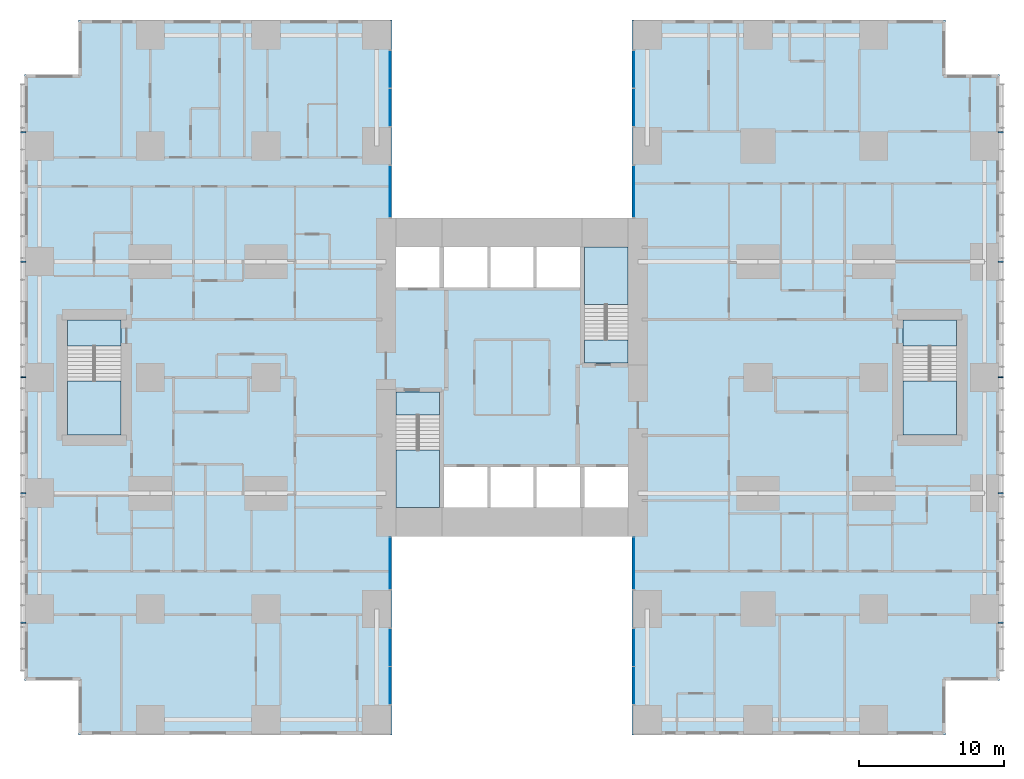
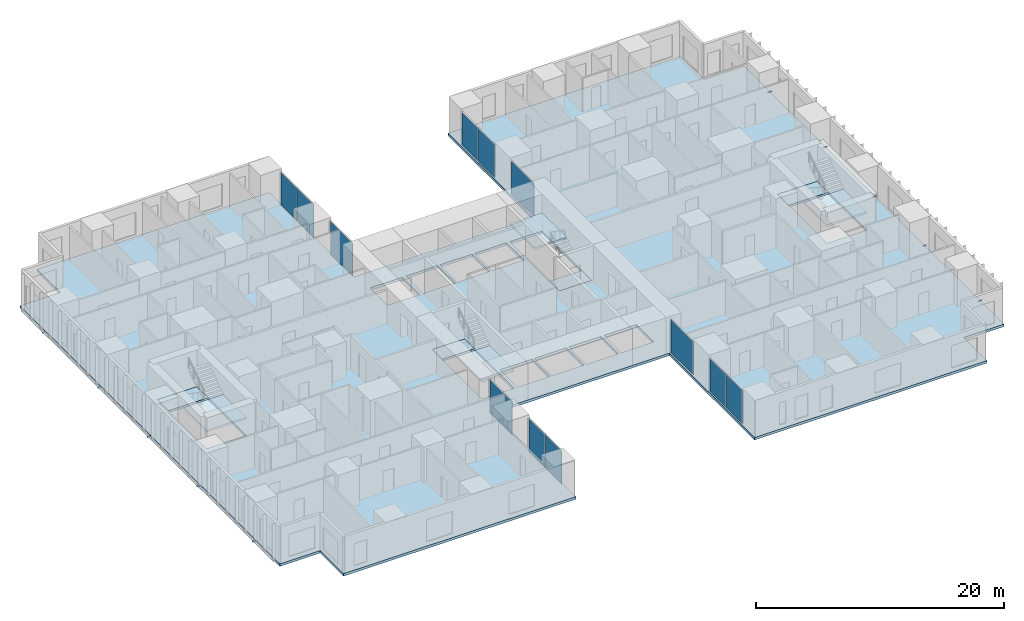
# One storey, part 7 of 20: 12 plates, 10 members, 9 slabs, 12 elements without a shape of their own.
"""IFC4 building model written with IfcOpenShell, lengths in metres."""

from ifc_helpers import new_model, si_unit, direction, frame, origin, origin_2d, place, context, subcontext, project, spatial, polyline, rectangle, hollow_rectangle, outline, extrude, material, layer, layer_set, material_profile, profile_set, type_object, element, aggregate, save


model = new_model("IFC4")

# Units and contexts
model_context = context("Model", 3, precision=1e-05, world=origin(), true_north=direction((0.0, 1.0)))
body_context = subcontext(model_context, "Body", "Model", "MODEL_VIEW")
ifc_project = project(units=[si_unit("LENGTHUNIT", "METRE"), si_unit("AREAUNIT", "SQUARE_METRE"), si_unit("VOLUMEUNIT", "CUBIC_METRE"), si_unit("PLANEANGLEUNIT", "RADIAN"), si_unit("MASSUNIT", "GRAM", prefix="KILO")], contexts=[model_context])

# Site, building, storey
site_placement = place(None, origin())
site = spatial("IfcSite", under=ifc_project, at=site_placement, CompositionType="ELEMENT")
building_placement = place(site_placement, origin())
building = spatial("IfcBuilding", under=site, at=building_placement, Name="Cleftline Residences", CompositionType="ELEMENT")
storey_placement = place(building_placement, frame((0.0, 0.0, 114.199951171875)))
storey = spatial("IfcBuildingStorey", under=building, at=storey_placement, Name="L29", CompositionType="ELEMENT", Elevation=114.199951171875)

# Members
ifc_material_1 = material(Name="Steel S355, hot-dip galvanised", Category="steel")
ifc_material_profile = material_profile(ifc_material_1, hollow_rectangle(XDim=0.10009765625, YDim=0.10009765625, WallThickness=0.008056640625, InnerFilletRadius=0.008056640625, OuterFilletRadius=0.011962890625, at=origin_2d()))
ifc_profile_set = profile_set([ifc_material_profile], Name="Steel S355, hot-dip galvanised")
member_type = type_object("IfcMemberType", Name="BAGUETTE BRACKET SHS 100X100X8", PredefinedType="USERDEFINED", material=ifc_profile_set)
for number, where, z_axis, x_axis, name in (
    (1, (66.60009765625, 7.050048828125, -0.14990234375), (1.0, 0.0, 0.0), (0.0, 1.0, 0.0), "Baguette bracket"),
    (2, (66.60009765625, 16.0, -0.14990234375), (1.0, 0.0, 0.0), (0.0, 1.0, 0.0), "Baguette bracket"),
    (3, (66.60009765625, 24.0, -0.14990234375), (1.0, 0.0, 0.0), (0.0, 1.0, 0.0), "Baguette bracket"),
    (4, (66.60009765625, 32.0, -0.14990234375), (1.0, 0.0, 0.0), (0.0, 1.0, 0.0), "Baguette bracket"),
    (5, (66.60009765625, 40.949951171875, -0.14990234375), (1.0, 0.0, 0.0), (0.0, 1.0, 0.0), "Baguette bracket"),
    (6, (-0.60009765625, 40.949951171875, -0.14990234375), (-1.0, 0.0, 0.0), (0.0, -1.0, 0.0), "Baguette bracket"),
    (7, (-0.60009765625, 32.0, -0.14990234375), (-1.0, 0.0, 0.0), (0.0, -1.0, 0.0), "Baguette bracket"),
    (8, (-0.60009765625, 24.0, -0.14990234375), (-1.0, 0.0, 0.0), (0.0, -1.0, 0.0), "Baguette bracket"),
    (9, (-0.60009765625, 16.0, -0.14990234375), (-1.0, 0.0, 0.0), (0.0, -1.0, 0.0), "Baguette bracket"),
    (10, (-0.60009765625, 7.050048828125, -0.14990234375), (-1.0, 0.0, 0.0), (0.0, -1.0, 0.0), "Baguette bracket"),
):
    element("IfcMember", number, at=place(storey_placement, frame(where, z_axis=z_axis, x_axis=x_axis)), inside=storey, type_object=member_type, Name=name, ObjectType="BAGUETTE BRACKET", PredefinedType="USERDEFINED", context=body_context, shape_type="SweptSolid", body=[
        extrude(hollow_rectangle(XDim=0.10009765625, YDim=0.10009765625, WallThickness=0.008056640625, InnerFilletRadius=0.008056640625, OuterFilletRadius=0.011962890625, at=origin_2d()), origin(), (0.0, 0.0, 1.0), 0.349853515625),
    ])

# Curtain wall, plates
ifc_material_2 = material(Name="Aluminium framed curtain wall", Category="aluminium")
ifc_layer_1 = layer(ifc_material_2, 0.199951171875)
ifc_layer_set_1 = layer_set([ifc_layer_1], Name="CW1 CLEFT GLAZING")
curtain_wall_type = type_object("IfcCurtainWallType", Name="CW1 CLEFT GLAZING", PredefinedType="NOTDEFINED", material=ifc_layer_set_1)
curtain_wall_1_placement = place(storey_placement, origin())
curtain_wall_1 = element("IfcCurtainWall", 11, at=curtain_wall_1_placement, inside=storey, type_object=curtain_wall_type, Name="Curtain wall CW1", PredefinedType="NOTDEFINED")
ifc_material_3 = material(Name="Laminated clear glass", Category="glass")
ifc_layer_2 = layer(ifc_material_3, 0.028076171875)
ifc_layer_set_2 = layer_set([ifc_layer_2], Name="CW1 GLASS PANEL")
plate_type = type_object("IfcPlateType", Name="CW1 GLASS PANEL", PredefinedType="CURTAIN_PANEL", material=ifc_layer_set_2)
plate_1_placement = place(storey_placement, frame((24.574951171875, 2.702392578125, 0.06005859375), z_axis=(0.0, 0.0, 1.0), x_axis=(0.0, 1.0, 0.0)))
plate_1 = element("IfcPlate", 12, at=plate_1_placement, type_object=plate_type, Name="CW1 panel 1.1", PredefinedType="CURTAIN_PANEL", context=body_context, shape_type="SweptSolid", body=[
    extrude(rectangle(XDim=2.5849609375, YDim=0.028076171875, at=origin_2d()), origin(), (0.0, 0.0, 1.0), 3.22998046875),
])
plate_2_placement = place(storey_placement, frame((24.574951171875, 5.347412109375, 0.06005859375), z_axis=(0.0, 0.0, 1.0), x_axis=(0.0, 1.0, 0.0)))
plate_2 = element("IfcPlate", 13, at=plate_2_placement, type_object=plate_type, Name="CW1 panel 2.1", PredefinedType="CURTAIN_PANEL", context=body_context, shape_type="SweptSolid", body=[
    extrude(rectangle(XDim=2.5849609375, YDim=0.028076171875, at=origin_2d()), origin(), (0.0, 0.0, 1.0), 3.22998046875),
])
aggregate(curtain_wall_1, [plate_1, plate_2])

# Curtain wall, plate
curtain_wall_2_placement = place(storey_placement, origin())
curtain_wall_2 = element("IfcCurtainWall", 14, at=curtain_wall_2_placement, inside=storey, type_object=curtain_wall_type, Name="Curtain wall CW1", PredefinedType="NOTDEFINED")
plate_3_placement = place(storey_placement, frame((24.574951171875, 11.14990234375, 0.06005859375), z_axis=(0.0, 0.0, 1.0), x_axis=(0.0, 1.0, 0.0)))
plate_3 = element("IfcPlate", 15, at=plate_3_placement, type_object=plate_type, Name="CW1 panel 1.1", PredefinedType="CURTAIN_PANEL", context=body_context, shape_type="SweptSolid", body=[
    extrude(rectangle(XDim=3.580078125, YDim=0.028076171875, at=origin_2d()), origin(), (0.0, 0.0, 1.0), 3.22998046875),
])
aggregate(curtain_wall_2, [plate_3])

curtain_wall_3_placement = place(storey_placement, origin())
curtain_wall_3 = element("IfcCurtainWall", 16, at=curtain_wall_3_placement, inside=storey, type_object=curtain_wall_type, Name="Curtain wall CW1", PredefinedType="NOTDEFINED")
plate_4_placement = place(storey_placement, frame((41.425048828125, 11.14990234375, 0.06005859375), z_axis=(0.0, 0.0, 1.0), x_axis=(0.0, -1.0, 0.0)))
plate_4 = element("IfcPlate", 17, at=plate_4_placement, type_object=plate_type, Name="CW1 panel 1.1", PredefinedType="CURTAIN_PANEL", context=body_context, shape_type="SweptSolid", body=[
    extrude(rectangle(XDim=3.580078125, YDim=0.028076171875, at=origin_2d()), origin(), (0.0, 0.0, 1.0), 3.22998046875),
])
aggregate(curtain_wall_3, [plate_4])

# Curtain wall, plates
curtain_wall_4_placement = place(storey_placement, origin())
curtain_wall_4 = element("IfcCurtainWall", 18, at=curtain_wall_4_placement, inside=storey, type_object=curtain_wall_type, Name="Curtain wall CW1", PredefinedType="NOTDEFINED")
plate_5_placement = place(storey_placement, frame((41.425048828125, 5.347412109375, 0.06005859375), z_axis=(0.0, 0.0, 1.0), x_axis=(0.0, -1.0, 0.0)))
plate_5 = element("IfcPlate", 19, at=plate_5_placement, type_object=plate_type, Name="CW1 panel 1.1", PredefinedType="CURTAIN_PANEL", context=body_context, shape_type="SweptSolid", body=[
    extrude(rectangle(XDim=2.5849609375, YDim=0.028076171875, at=origin_2d()), origin(), (0.0, 0.0, 1.0), 3.22998046875),
])
plate_6_placement = place(storey_placement, frame((41.425048828125, 2.702392578125, 0.06005859375), z_axis=(0.0, 0.0, 1.0), x_axis=(0.0, -1.0, 0.0)))
plate_6 = element("IfcPlate", 20, at=plate_6_placement, type_object=plate_type, Name="CW1 panel 2.1", PredefinedType="CURTAIN_PANEL", context=body_context, shape_type="SweptSolid", body=[
    extrude(rectangle(XDim=2.5849609375, YDim=0.028076171875, at=origin_2d()), origin(), (0.0, 0.0, 1.0), 3.22998046875),
])
aggregate(curtain_wall_4, [plate_5, plate_6])

curtain_wall_5_placement = place(storey_placement, origin())
curtain_wall_5 = element("IfcCurtainWall", 21, at=curtain_wall_5_placement, inside=storey, type_object=curtain_wall_type, Name="Curtain wall CW1", PredefinedType="NOTDEFINED")
plate_7_placement = place(storey_placement, frame((41.425048828125, 45.297607421875, 0.06005859375), z_axis=(0.0, 0.0, 1.0), x_axis=(0.0, -1.0, 0.0)))
plate_7 = element("IfcPlate", 22, at=plate_7_placement, type_object=plate_type, Name="CW1 panel 1.1", PredefinedType="CURTAIN_PANEL", context=body_context, shape_type="SweptSolid", body=[
    extrude(rectangle(XDim=2.5849609375, YDim=0.028076171875, at=origin_2d()), origin(), (0.0, 0.0, 1.0), 3.22998046875),
])
plate_8_placement = place(storey_placement, frame((41.425048828125, 42.652587890625, 0.06005859375), z_axis=(0.0, 0.0, 1.0), x_axis=(0.0, -1.0, 0.0)))
plate_8 = element("IfcPlate", 23, at=plate_8_placement, type_object=plate_type, Name="CW1 panel 2.1", PredefinedType="CURTAIN_PANEL", context=body_context, shape_type="SweptSolid", body=[
    extrude(rectangle(XDim=2.5849609375, YDim=0.028076171875, at=origin_2d()), origin(), (0.0, 0.0, 1.0), 3.22998046875),
])
aggregate(curtain_wall_5, [plate_7, plate_8])

# Curtain wall, plate
curtain_wall_6_placement = place(storey_placement, origin())
curtain_wall_6 = element("IfcCurtainWall", 24, at=curtain_wall_6_placement, inside=storey, type_object=curtain_wall_type, Name="Curtain wall CW1", PredefinedType="NOTDEFINED")
plate_9_placement = place(storey_placement, frame((41.425048828125, 36.85009765625, 0.06005859375), z_axis=(0.0, 0.0, 1.0), x_axis=(0.0, -1.0, 0.0)))
plate_9 = element("IfcPlate", 25, at=plate_9_placement, type_object=plate_type, Name="CW1 panel 1.1", PredefinedType="CURTAIN_PANEL", context=body_context, shape_type="SweptSolid", body=[
    extrude(rectangle(XDim=3.580078125, YDim=0.028076171875, at=origin_2d()), origin(), (0.0, 0.0, 1.0), 3.22998046875),
])
aggregate(curtain_wall_6, [plate_9])

curtain_wall_7_placement = place(storey_placement, origin())
curtain_wall_7 = element("IfcCurtainWall", 26, at=curtain_wall_7_placement, inside=storey, type_object=curtain_wall_type, Name="Curtain wall CW1", PredefinedType="NOTDEFINED")
plate_10_placement = place(storey_placement, frame((24.574951171875, 36.85009765625, 0.06005859375), z_axis=(0.0, 0.0, 1.0), x_axis=(0.0, 1.0, 0.0)))
plate_10 = element("IfcPlate", 27, at=plate_10_placement, type_object=plate_type, Name="CW1 panel 1.1", PredefinedType="CURTAIN_PANEL", context=body_context, shape_type="SweptSolid", body=[
    extrude(rectangle(XDim=3.580078125, YDim=0.028076171875, at=origin_2d()), origin(), (0.0, 0.0, 1.0), 3.22998046875),
])
aggregate(curtain_wall_7, [plate_10])

# Curtain wall, plates
curtain_wall_8_placement = place(storey_placement, origin())
curtain_wall_8 = element("IfcCurtainWall", 28, at=curtain_wall_8_placement, inside=storey, type_object=curtain_wall_type, Name="Curtain wall CW1", PredefinedType="NOTDEFINED")
plate_11_placement = place(storey_placement, frame((24.574951171875, 42.652587890625, 0.06005859375), z_axis=(0.0, 0.0, 1.0), x_axis=(0.0, 1.0, 0.0)))
plate_11 = element("IfcPlate", 29, at=plate_11_placement, type_object=plate_type, Name="CW1 panel 1.1", PredefinedType="CURTAIN_PANEL", context=body_context, shape_type="SweptSolid", body=[
    extrude(rectangle(XDim=2.5849609375, YDim=0.028076171875, at=origin_2d()), origin(), (0.0, 0.0, 1.0), 3.22998046875),
])
plate_12_placement = place(storey_placement, frame((24.574951171875, 45.297607421875, 0.06005859375), z_axis=(0.0, 0.0, 1.0), x_axis=(0.0, 1.0, 0.0)))
plate_12 = element("IfcPlate", 30, at=plate_12_placement, type_object=plate_type, Name="CW1 panel 2.1", PredefinedType="CURTAIN_PANEL", context=body_context, shape_type="SweptSolid", body=[
    extrude(rectangle(XDim=2.5849609375, YDim=0.028076171875, at=origin_2d()), origin(), (0.0, 0.0, 1.0), 3.22998046875),
])
aggregate(curtain_wall_8, [plate_11, plate_12])

# Slab
ifc_material_4 = material(Name="Concrete B45", Category="concrete")
ifc_layer_3 = layer(ifc_material_4, 0.25)
ifc_layer_set_3 = layer_set([ifc_layer_3], Name="FLOOR SLAB 250")
slab_type_1 = type_object("IfcSlabType", Name="FLOOR SLAB 250", PredefinedType="FLOOR", material=ifc_layer_set_3)
slab_1_placement = place(storey_placement, frame((0.0, 0.0, -0.25)))
element("IfcSlab", 31, at=slab_1_placement, inside=storey, type_object=slab_type_1, Name="Floor slab L29", PredefinedType="FLOOR", context=body_context, shape_type="SweptSolid", body=[
    extrude(outline(polyline([(24.699951171875, 13.0), (41.300048828125, 13.0), (41.300048828125, -0.699951171875), (62.949951171875, -0.699951171875), (62.949951171875, 3.050048828125), (66.699951171875, 3.050048828125), (66.699951171875, 44.949951171875), (62.949951171875, 44.949951171875), (62.949951171875, 48.699951171875), (41.300048828125, 48.699951171875), (41.300048828125, 35.0), (24.699951171875, 35.0), (24.699951171875, 48.699951171875), (3.050048828125, 48.699951171875), (3.050048828125, 44.949951171875), (-0.699951171875, 44.949951171875), (-0.699951171875, 3.050048828125), (3.050048828125, 3.050048828125), (3.050048828125, -0.699951171875), (24.699951171875, -0.699951171875), (24.699951171875, 13.0)]), holes=[polyline([(28.0, 15.0), (28.0, 23.0), (25.0, 23.0), (25.0, 15.0), (28.0, 15.0)]), polyline([(41.0, 25.0), (41.0, 33.0), (38.0, 33.0), (38.0, 25.0), (41.0, 25.0)]), polyline([(28.0, 30.199951171875), (28.0, 33.0), (25.0, 33.0), (25.0, 30.199951171875), (28.0, 30.199951171875)]), polyline([(41.0, 15.0), (41.0, 17.800048828125), (38.0, 17.800048828125), (38.0, 15.0), (41.0, 15.0)]), polyline([(31.300048828125, 15.0), (31.300048828125, 17.800048828125), (28.300048828125, 17.800048828125), (28.300048828125, 15.0), (31.300048828125, 15.0)]), polyline([(34.5, 15.0), (34.5, 17.800048828125), (31.5, 17.800048828125), (31.5, 15.0), (34.5, 15.0)]), polyline([(37.699951171875, 15.0), (37.699951171875, 17.800048828125), (34.699951171875, 17.800048828125), (34.699951171875, 15.0), (37.699951171875, 15.0)]), polyline([(31.300048828125, 30.199951171875), (31.300048828125, 33.0), (28.300048828125, 33.0), (28.300048828125, 30.199951171875), (31.300048828125, 30.199951171875)]), polyline([(34.5, 30.199951171875), (34.5, 33.0), (31.5, 33.0), (31.5, 30.199951171875), (34.5, 30.199951171875)]), polyline([(37.699951171875, 30.199951171875), (37.699951171875, 33.0), (34.699951171875, 33.0), (34.699951171875, 30.199951171875), (37.699951171875, 30.199951171875)]), polyline([(63.72509765625, 20.02490234375), (63.72509765625, 27.97509765625), (60.02490234375, 27.97509765625), (60.02490234375, 20.02490234375), (63.72509765625, 20.02490234375)]), polyline([(5.97509765625, 20.02490234375), (5.97509765625, 27.97509765625), (2.27490234375, 27.97509765625), (2.27490234375, 20.02490234375), (5.97509765625, 20.02490234375)])]), origin(), (0.0, 0.0, 1.0), 0.25),
])

# Stair, slabs
ifc_material_5 = material(Name="Concrete B45, stone treads", Category="masonry")
stair_type_1 = type_object("IfcStairType", Name="STAIR A 1450 WIDE 180 RISER", PredefinedType="HALF_TURN_STAIR", material=ifc_material_5)
stair_1_placement = place(storey_placement, origin())
stair_1 = element("IfcStair", 32, at=stair_1_placement, inside=storey, type_object=stair_type_1, Name="Stair A L29", PredefinedType="HALF_TURN_STAIR")
ifc_material_6 = material(Name="Concrete B45", Category="concrete")
ifc_layer_4 = layer(ifc_material_6, 0.199951171875)
ifc_layer_set_4 = layer_set([ifc_layer_4], Name="STAIR LANDING 200")
slab_type_2 = type_object("IfcSlabType", Name="STAIR LANDING 200", PredefinedType="LANDING", material=ifc_layer_set_4)
slab_2_placement = place(storey_placement, frame((0.0, 0.0, -0.199951171875)))
slab_2 = element("IfcSlab", 33, at=slab_2_placement, type_object=slab_type_2, Name="ST-A landing 1", PredefinedType="LANDING", context=body_context, shape_type="SweptSolid", body=[
    extrude(outline(polyline([(25.0, 21.39990234375), (28.0, 21.39990234375), (28.0, 23.0), (25.0, 23.0), (25.0, 21.39990234375)])), origin(), (0.0, 0.0, 1.0), 0.199951171875),
])
slab_3_placement = place(storey_placement, frame((0.0, 0.0, 1.60009765625)))
slab_3 = element("IfcSlab", 34, at=slab_3_placement, type_object=slab_type_2, Name="ST-A landing 2", PredefinedType="LANDING", context=body_context, shape_type="SweptSolid", body=[
    extrude(outline(polyline([(25.0, 15.0), (28.0, 15.0), (28.0, 18.969970703125), (25.0, 18.969970703125), (25.0, 15.0)])), origin(), (0.0, 0.0, 1.0), 0.199951171875),
])
aggregate(stair_1, [slab_2, slab_3])

ifc_material_7 = material(Name="Concrete B45, stone treads", Category="masonry")
stair_type_2 = type_object("IfcStairType", Name="STAIR B 1450 WIDE 180 RISER", PredefinedType="HALF_TURN_STAIR", material=ifc_material_7)
stair_2_placement = place(storey_placement, origin())
stair_2 = element("IfcStair", 35, at=stair_2_placement, inside=storey, type_object=stair_type_2, Name="Stair B L29", PredefinedType="HALF_TURN_STAIR")
slab_4_placement = place(storey_placement, frame((0.0, 0.0, -0.199951171875)))
slab_4 = element("IfcSlab", 36, at=slab_4_placement, type_object=slab_type_2, Name="ST-B landing 1", PredefinedType="LANDING", context=body_context, shape_type="SweptSolid", body=[
    extrude(outline(polyline([(38.0, 25.0), (41.0, 25.0), (41.0, 26.60009765625), (38.0, 26.60009765625), (38.0, 25.0)])), origin(), (0.0, 0.0, 1.0), 0.199951171875),
])
slab_5_placement = place(storey_placement, frame((0.0, 0.0, 1.60009765625)))
slab_5 = element("IfcSlab", 37, at=slab_5_placement, type_object=slab_type_2, Name="ST-B landing 2", PredefinedType="LANDING", context=body_context, shape_type="SweptSolid", body=[
    extrude(outline(polyline([(38.0, 29.030029296875), (41.0, 29.030029296875), (41.0, 33.0), (38.0, 33.0), (38.0, 29.030029296875)])), origin(), (0.0, 0.0, 1.0), 0.199951171875),
])
aggregate(stair_2, [slab_4, slab_5])

ifc_material_8 = material(Name="Concrete B45, stone treads", Category="masonry")
stair_type_3 = type_object("IfcStairType", Name="STAIR E 1800 WIDE 180 RISER", PredefinedType="HALF_TURN_STAIR", material=ifc_material_8)
stair_3_placement = place(storey_placement, origin())
stair_3 = element("IfcStair", 38, at=stair_3_placement, inside=storey, type_object=stair_type_3, Name="Stair E L29", PredefinedType="HALF_TURN_STAIR")
slab_6_placement = place(storey_placement, frame((0.0, 0.0, -0.199951171875)))
slab_6 = element("IfcSlab", 39, at=slab_6_placement, type_object=slab_type_2, Name="ST-E landing 1", PredefinedType="LANDING", context=body_context, shape_type="SweptSolid", body=[
    extrude(outline(polyline([(60.02490234375, 26.175048828125), (63.72509765625, 26.175048828125), (63.72509765625, 27.97509765625), (60.02490234375, 27.97509765625), (60.02490234375, 26.175048828125)])), origin(), (0.0, 0.0, 1.0), 0.199951171875),
])
slab_7_placement = place(storey_placement, frame((0.0, 0.0, 1.60009765625)))
slab_7 = element("IfcSlab", 40, at=slab_7_placement, type_object=slab_type_2, Name="ST-E landing 2", PredefinedType="LANDING", context=body_context, shape_type="SweptSolid", body=[
    extrude(outline(polyline([(60.02490234375, 20.02490234375), (63.72509765625, 20.02490234375), (63.72509765625, 23.7451171875), (60.02490234375, 23.7451171875), (60.02490234375, 20.02490234375)])), origin(), (0.0, 0.0, 1.0), 0.199951171875),
])
aggregate(stair_3, [slab_6, slab_7])

ifc_material_9 = material(Name="Concrete B45, stone treads", Category="masonry")
stair_type_4 = type_object("IfcStairType", Name="STAIR W 1800 WIDE 180 RISER", PredefinedType="HALF_TURN_STAIR", material=ifc_material_9)
stair_4_placement = place(storey_placement, origin())
stair_4 = element("IfcStair", 41, at=stair_4_placement, inside=storey, type_object=stair_type_4, Name="Stair W L29", PredefinedType="HALF_TURN_STAIR")
slab_8_placement = place(storey_placement, frame((0.0, 0.0, -0.199951171875)))
slab_8 = element("IfcSlab", 42, at=slab_8_placement, type_object=slab_type_2, Name="ST-W landing 1", PredefinedType="LANDING", context=body_context, shape_type="SweptSolid", body=[
    extrude(outline(polyline([(2.27490234375, 26.175048828125), (5.97509765625, 26.175048828125), (5.97509765625, 27.97509765625), (2.27490234375, 27.97509765625), (2.27490234375, 26.175048828125)])), origin(), (0.0, 0.0, 1.0), 0.199951171875),
])
slab_9_placement = place(storey_placement, frame((0.0, 0.0, 1.60009765625)))
slab_9 = element("IfcSlab", 43, at=slab_9_placement, type_object=slab_type_2, Name="ST-W landing 2", PredefinedType="LANDING", context=body_context, shape_type="SweptSolid", body=[
    extrude(outline(polyline([(2.27490234375, 20.02490234375), (5.97509765625, 20.02490234375), (5.97509765625, 23.7451171875), (2.27490234375, 23.7451171875), (2.27490234375, 20.02490234375)])), origin(), (0.0, 0.0, 1.0), 0.199951171875),
])
aggregate(stair_4, [slab_8, slab_9])

save(model, "model.ifc")
